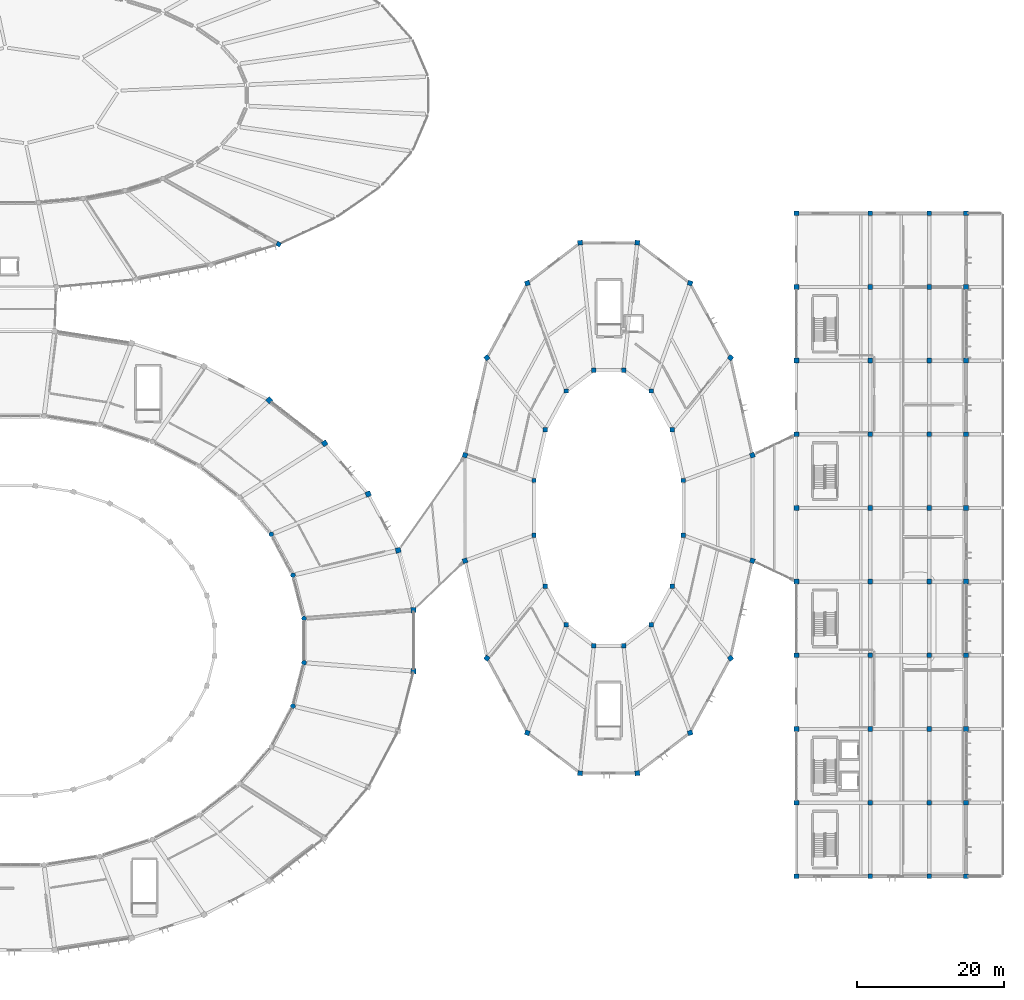
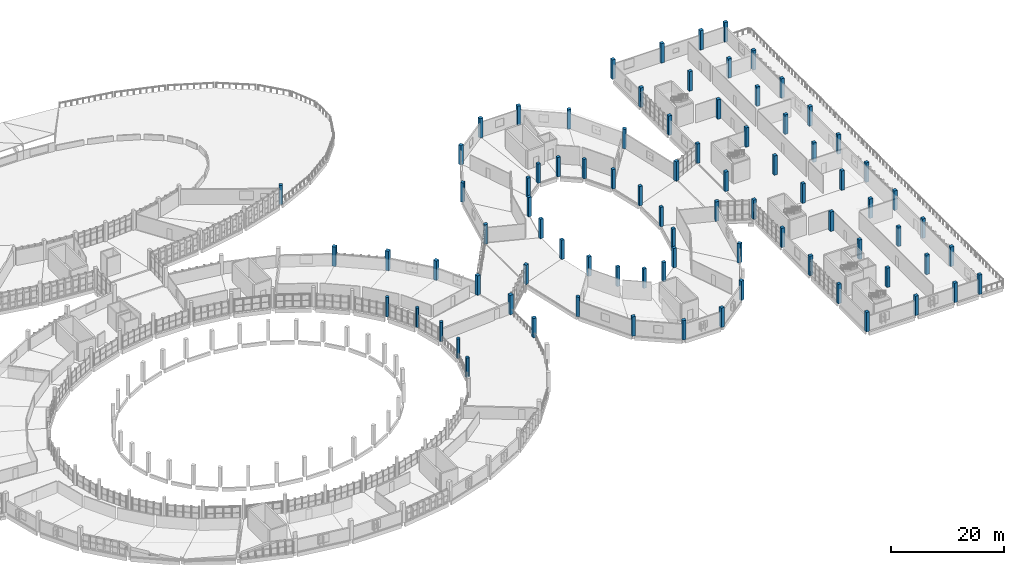
# One storey, part 2 of 142: 84 columns.
"""IFC4 building model written with IfcOpenShell, lengths in metres."""

from ifc_helpers import new_model, si_unit, direction, frame, origin, origin_2d, place, context, subcontext, project, spatial, rectangle, circle, extrude, material, material_profile, profile_set, type_object, element, save


model = new_model("IFC4")

# Units and contexts
model_context = context("Model", 3, precision=1e-05, world=origin(), true_north=direction((0.0, 1.0)))
body_context = subcontext(model_context, "Body", "Model", "MODEL_VIEW")
ifc_project = project(units=[si_unit("LENGTHUNIT", "METRE"), si_unit("AREAUNIT", "SQUARE_METRE"), si_unit("VOLUMEUNIT", "CUBIC_METRE"), si_unit("PLANEANGLEUNIT", "RADIAN"), si_unit("MASSUNIT", "GRAM", prefix="KILO")], contexts=[model_context])

# Site, building, storey
site_placement = place(None, origin())
site = spatial("IfcSite", under=ifc_project, at=site_placement, CompositionType="ELEMENT")
building_placement = place(site_placement, origin())
building = spatial("IfcBuilding", under=site, at=building_placement, Name="Corvandel Quay Wholesale Market", CompositionType="ELEMENT")
storey_placement = place(building_placement, frame((0.0, 0.0, 10.800048828125)))
storey = spatial("IfcBuildingStorey", under=building, at=storey_placement, Name="L02", CompositionType="ELEMENT", Elevation=10.800048828125)

# Columns
ifc_material = material(Name="Precast concrete C45/55", Category="concrete")
ifc_material_profile_1 = material_profile(ifc_material, circle(Radius=0.324951171875, at=origin_2d()), Name="PC-COL-D650")
ifc_profile_set_1 = profile_set([ifc_material_profile_1], Name="Precast concrete C45/55")
column_type_1 = type_object("IfcColumnType", Name="Circular Gallery Column C12 D650", PredefinedType="COLUMN", material=ifc_profile_set_1)
for number, where, z_axis, x_axis, name in (
    (1, (153.14990234375, 44.9990234375, 0.0), (0.0, 0.0, 1.0), (1.0, 0.0, 0.0), "Column COL-0006"),
    (2, (151.64501953125, 50.882080078125, 0.0), (0.0, 0.0, 1.0), (1.0, 0.0, 0.0), "Column COL-0016"),
    (3, (148.694091796875, 56.423095703125, 0.0), (0.0, 0.0, 1.0), (1.0, 0.0, 0.0), "Column COL-0026"),
    (4, (151.64501953125, 33.117919921875, 0.0), (0.0, 0.0, 1.0), (1.0, 0.0, 0.0), "Column COL-0306"),
    (5, (153.14990234375, 39.0009765625, 0.0), (0.0, 0.0, 1.0), (1.0, 0.0, 0.0), "Column COL-0316"),
):
    element("IfcColumn", number, at=place(storey_placement, frame(where, z_axis=z_axis, x_axis=x_axis)), inside=storey, type_object=column_type_1, Name=name, PredefinedType="COLUMN", context=body_context, shape_type="SweptSolid", body=[
        extrude(circle(Radius=0.324951171875, at=origin_2d()), origin(), (0.0, 0.0, 1.0), 4.199951171875),
    ])
ifc_material_profile_2 = material_profile(ifc_material, rectangle(XDim=0.699951171875, YDim=0.699951171875, at=origin_2d()), Name="PC-COL-700x700")
ifc_profile_set_2 = profile_set([ifc_material_profile_2], Name="Precast concrete C45/55")
column_type_2 = type_object("IfcColumnType", Name="Precast Column C04 700x700", PredefinedType="COLUMN", material=ifc_profile_set_2)
for number, where, z_axis, x_axis, name in (
    (6, (168.0, 46.136962890625, 0.0), (0.0, 0.0, 1.0), (-0.076370986393, 0.997079471475, 0.0), "Column COL-0003"),
    (7, (165.925048828125, 54.2509765625, 0.0), (0.0, 0.0, 1.0), (-0.229710019669, 0.973259115993, 0.0), "Column COL-0013"),
    (8, (161.85400390625, 61.89404296875, 0.0), (0.0, 0.0, 1.0), (-0.383811878264, 0.923411307113, 0.0), "Column COL-0023"),
    (9, (155.945068359375, 68.77294921875, 0.0), (0.0, 0.0, 1.0), (-0.538035401546, 0.842922242371, 0.0), "Column COL-0033"),
    (10, (148.423095703125, 74.6240234375, 0.0), (0.0, 0.0, 1.0), (-0.687848001144, 0.725854756355, 0.0), "Column COL-0043"),
    (11, (168.0, 37.863037109375, 0.0), (0.0, 0.0, 1.0), (0.076370986393, 0.997079471475, 0.0), "Column COL-0313"),
):
    element("IfcColumn", number, at=place(storey_placement, frame(where, z_axis=z_axis, x_axis=x_axis)), inside=storey, type_object=column_type_2, Name=name, PredefinedType="COLUMN", context=body_context, shape_type="SweptSolid", body=[
        extrude(rectangle(XDim=0.699951171875, YDim=0.699951171875, at=origin_2d()), origin(), (0.0, 0.0, 1.0), 4.199951171875),
    ])
ifc_material_profile_3 = material_profile(ifc_material, rectangle(XDim=0.64990234375, YDim=0.64990234375, at=origin_2d()), Name="PC-COL-650x650")
ifc_profile_set_3 = profile_set([ifc_material_profile_3], Name="Precast concrete C45/55")
column_type_3 = type_object("IfcColumnType", Name="Precast Column C05 650x650", PredefinedType="COLUMN", material=ifc_profile_set_3)
for number, where, z_axis, x_axis, name in (
    (12, (214.0, 67.160888671875, 0.0), (0.0, 0.0, 1.0), (-0.344642923175, 0.938733857654, 0.0), "Column COL-0481"),
    (13, (211.031005859375, 80.39208984375, 0.0), (0.0, 0.0, 1.0), (-0.776816343556, 0.629727217439, 0.0), "Column COL-0488"),
    (14, (205.5458984375, 90.51904296875, 0.0), (0.0, 0.0, 1.0), (-0.94028812701, 0.340379550213, 0.0), "Column COL-0494"),
    (15, (198.37890625, 96.0, 0.0), (0.0, 0.0, 1.0), (-0.994244832633, 0.107131754314, 0.0), "Column COL-0500"),
    (16, (190.62109375, 96.0, 0.0), (0.0, 0.0, 1.0), (0.994244832633, 0.107131754314, 0.0), "Column COL-0506"),
    (17, (183.4541015625, 90.51904296875, 0.0), (0.0, 0.0, 1.0), (0.94028812701, 0.340379550213, 0.0), "Column COL-0513"),
    (18, (177.968994140625, 80.39208984375, 0.0), (0.0, 0.0, 1.0), (0.776816343556, 0.629727217439, 0.0), "Column COL-0519"),
    (19, (175.0, 67.160888671875, 0.0), (0.0, 0.0, 1.0), (0.344642923175, 0.938733857654, 0.0), "Column COL-0525"),
    (20, (175.0, 52.839111328125, 0.0), (0.0, 0.0, 1.0), (-0.344642923175, 0.938733857654, 0.0), "Column COL-0531"),
    (21, (177.968994140625, 39.60791015625, 0.0), (0.0, 0.0, 1.0), (-0.776816343556, 0.629727217439, 0.0), "Column COL-0538"),
    (22, (183.4541015625, 29.48095703125, 0.0), (0.0, 0.0, 1.0), (-0.94028812701, 0.340379550213, 0.0), "Column COL-0544"),
    (23, (190.62109375, 24.0, 0.0), (0.0, 0.0, 1.0), (-0.994244832633, 0.107131754314, 0.0), "Column COL-0550"),
    (24, (198.37890625, 24.0, 0.0), (0.0, 0.0, 1.0), (0.994244832633, 0.107131754314, 0.0), "Column COL-0556"),
    (25, (205.5458984375, 29.48095703125, 0.0), (0.0, 0.0, 1.0), (0.94028812701, 0.340379550213, 0.0), "Column COL-0563"),
    (26, (211.031005859375, 39.60791015625, 0.0), (0.0, 0.0, 1.0), (0.776816343556, 0.629727217439, 0.0), "Column COL-0569"),
    (27, (214.0, 52.839111328125, 0.0), (0.0, 0.0, 1.0), (0.344642923175, 0.938733857654, 0.0), "Column COL-0575"),
    (28, (220.0, 10.0, 0.0), (0.0, 0.0, 1.0), (1.0, 0.0, 0.0), "Column COL-0773"),
    (29, (220.0, 20.0, 0.0), (0.0, 0.0, 1.0), (1.0, 0.0, 0.0), "Column COL-0777"),
    (30, (220.0, 30.0, 0.0), (0.0, 0.0, 1.0), (1.0, 0.0, 0.0), "Column COL-0781"),
    (31, (220.0, 40.0, 0.0), (0.0, 0.0, 1.0), (1.0, 0.0, 0.0), "Column COL-0785"),
    (32, (220.0, 50.0, 0.0), (0.0, 0.0, 1.0), (1.0, 0.0, 0.0), "Column COL-0789"),
    (33, (220.0, 60.0, 0.0), (0.0, 0.0, 1.0), (1.0, 0.0, 0.0), "Column COL-0793"),
    (34, (220.0, 70.0, 0.0), (0.0, 0.0, 1.0), (1.0, 0.0, 0.0), "Column COL-0797"),
    (35, (220.0, 80.0, 0.0), (0.0, 0.0, 1.0), (1.0, 0.0, 0.0), "Column COL-0801"),
    (36, (220.0, 90.0, 0.0), (0.0, 0.0, 1.0), (1.0, 0.0, 0.0), "Column COL-0805"),
    (37, (220.0, 100.0, 0.0), (0.0, 0.0, 1.0), (1.0, 0.0, 0.0), "Column COL-0809"),
    (38, (230.0, 10.0, 0.0), (0.0, 0.0, 1.0), (1.0, 0.0, 0.0), "Column COL-0813"),
    (39, (230.0, 20.0, 0.0), (0.0, 0.0, 1.0), (1.0, 0.0, 0.0), "Column COL-0817"),
    (40, (230.0, 30.0, 0.0), (0.0, 0.0, 1.0), (1.0, 0.0, 0.0), "Column COL-0821"),
    (41, (230.0, 40.0, 0.0), (0.0, 0.0, 1.0), (1.0, 0.0, 0.0), "Column COL-0825"),
    (42, (230.0, 50.0, 0.0), (0.0, 0.0, 1.0), (1.0, 0.0, 0.0), "Column COL-0829"),
    (43, (230.0, 60.0, 0.0), (0.0, 0.0, 1.0), (1.0, 0.0, 0.0), "Column COL-0833"),
    (44, (230.0, 70.0, 0.0), (0.0, 0.0, 1.0), (1.0, 0.0, 0.0), "Column COL-0837"),
    (45, (230.0, 80.0, 0.0), (0.0, 0.0, 1.0), (1.0, 0.0, 0.0), "Column COL-0841"),
    (46, (230.0, 90.0, 0.0), (0.0, 0.0, 1.0), (1.0, 0.0, 0.0), "Column COL-0845"),
    (47, (230.0, 100.0, 0.0), (0.0, 0.0, 1.0), (1.0, 0.0, 0.0), "Column COL-0849"),
    (48, (238.0, 10.0, 0.0), (0.0, 0.0, 1.0), (1.0, 0.0, 0.0), "Column COL-0853"),
    (49, (238.0, 20.0, 0.0), (0.0, 0.0, 1.0), (1.0, 0.0, 0.0), "Column COL-0857"),
    (50, (238.0, 30.0, 0.0), (0.0, 0.0, 1.0), (1.0, 0.0, 0.0), "Column COL-0861"),
    (51, (238.0, 40.0, 0.0), (0.0, 0.0, 1.0), (1.0, 0.0, 0.0), "Column COL-0865"),
    (52, (238.0, 50.0, 0.0), (0.0, 0.0, 1.0), (1.0, 0.0, 0.0), "Column COL-0869"),
    (53, (238.0, 60.0, 0.0), (0.0, 0.0, 1.0), (1.0, 0.0, 0.0), "Column COL-0873"),
    (54, (238.0, 70.0, 0.0), (0.0, 0.0, 1.0), (1.0, 0.0, 0.0), "Column COL-0877"),
    (55, (238.0, 80.0, 0.0), (0.0, 0.0, 1.0), (1.0, 0.0, 0.0), "Column COL-0881"),
    (56, (238.0, 90.0, 0.0), (0.0, 0.0, 1.0), (1.0, 0.0, 0.0), "Column COL-0885"),
    (57, (238.0, 100.0, 0.0), (0.0, 0.0, 1.0), (1.0, 0.0, 0.0), "Column COL-0889"),
    (58, (243.0, 10.0, 0.0), (0.0, 0.0, 1.0), (1.0, 0.0, 0.0), "Column COL-0893"),
    (59, (243.0, 20.0, 0.0), (0.0, 0.0, 1.0), (1.0, 0.0, 0.0), "Column COL-0896"),
    (60, (243.0, 30.0, 0.0), (0.0, 0.0, 1.0), (1.0, 0.0, 0.0), "Column COL-0899"),
    (61, (243.0, 40.0, 0.0), (0.0, 0.0, 1.0), (1.0, 0.0, 0.0), "Column COL-0902"),
    (62, (243.0, 50.0, 0.0), (0.0, 0.0, 1.0), (1.0, 0.0, 0.0), "Column COL-0905"),
    (63, (243.0, 60.0, 0.0), (0.0, 0.0, 1.0), (1.0, 0.0, 0.0), "Column COL-0908"),
    (64, (243.0, 70.0, 0.0), (0.0, 0.0, 1.0), (1.0, 0.0, 0.0), "Column COL-0911"),
    (65, (243.0, 80.0, 0.0), (0.0, 0.0, 1.0), (1.0, 0.0, 0.0), "Column COL-0914"),
    (66, (243.0, 90.0, 0.0), (0.0, 0.0, 1.0), (1.0, 0.0, 0.0), "Column COL-0917"),
    (67, (243.0, 100.0, 0.0), (0.0, 0.0, 1.0), (1.0, 0.0, 0.0), "Column COL-0920"),
):
    element("IfcColumn", number, at=place(storey_placement, frame(where, z_axis=z_axis, x_axis=x_axis)), inside=storey, type_object=column_type_3, Name=name, PredefinedType="COLUMN", context=body_context, shape_type="SweptSolid", body=[
        extrude(rectangle(XDim=0.64990234375, YDim=0.64990234375, at=origin_2d()), origin(), (0.0, 0.0, 1.0), 4.199951171875),
    ])
ifc_material_profile_4 = material_profile(ifc_material, rectangle(XDim=0.60009765625, YDim=0.60009765625, at=origin_2d()), Name="PC-COL-600x600")
ifc_profile_set_4 = profile_set([ifc_material_profile_4], Name="Precast concrete C45/55")
column_type_4 = type_object("IfcColumnType", Name="Precast Column C06 600x600", PredefinedType="COLUMN", material=ifc_profile_set_4)
for number, where, z_axis, x_axis, name in (
    (68, (149.697998046875, 95.803955078125, 0.0), (0.0, 0.0, 1.0), (0.492423560103, 0.87035569594, 0.0), "Column COL-0457"),
    (69, (204.639892578125, 63.72412109375, 0.0), (0.0, 0.0, 1.0), (1.0, 0.0, 0.0), "Column COL-0484"),
    (70, (203.095947265625, 70.60400390625, 0.0), (0.0, 0.0, 1.0), (1.0, 0.0, 0.0), "Column COL-0491"),
    (71, (200.243896484375, 75.8701171875, 0.0), (0.0, 0.0, 1.0), (1.0, 0.0, 0.0), "Column COL-0497"),
    (72, (196.51708984375, 78.719970703125, 0.0), (0.0, 0.0, 1.0), (1.0, 0.0, 0.0), "Column COL-0503"),
    (73, (192.48291015625, 78.719970703125, 0.0), (0.0, 0.0, 1.0), (1.0, 0.0, 0.0), "Column COL-0509"),
    (74, (188.756103515625, 75.8701171875, 0.0), (0.0, 0.0, 1.0), (1.0, 0.0, 0.0), "Column COL-0516"),
    (75, (185.904052734375, 70.60400390625, 0.0), (0.0, 0.0, 1.0), (1.0, 0.0, 0.0), "Column COL-0522"),
    (76, (184.360107421875, 63.72412109375, 0.0), (0.0, 0.0, 1.0), (1.0, 0.0, 0.0), "Column COL-0528"),
    (77, (184.360107421875, 56.27587890625, 0.0), (0.0, 0.0, 1.0), (1.0, 0.0, 0.0), "Column COL-0534"),
    (78, (185.904052734375, 49.39599609375, 0.0), (0.0, 0.0, 1.0), (1.0, 0.0, 0.0), "Column COL-0541"),
    (79, (188.756103515625, 44.1298828125, 0.0), (0.0, 0.0, 1.0), (1.0, 0.0, 0.0), "Column COL-0547"),
    (80, (192.48291015625, 41.280029296875, 0.0), (0.0, 0.0, 1.0), (1.0, 0.0, 0.0), "Column COL-0553"),
    (81, (196.51708984375, 41.280029296875, 0.0), (0.0, 0.0, 1.0), (1.0, 0.0, 0.0), "Column COL-0559"),
    (82, (200.243896484375, 44.1298828125, 0.0), (0.0, 0.0, 1.0), (1.0, 0.0, 0.0), "Column COL-0566"),
    (83, (203.095947265625, 49.39599609375, 0.0), (0.0, 0.0, 1.0), (1.0, 0.0, 0.0), "Column COL-0572"),
    (84, (204.639892578125, 56.27587890625, 0.0), (0.0, 0.0, 1.0), (1.0, 0.0, 0.0), "Column COL-0578"),
):
    element("IfcColumn", number, at=place(storey_placement, frame(where, z_axis=z_axis, x_axis=x_axis)), inside=storey, type_object=column_type_4, Name=name, PredefinedType="COLUMN", context=body_context, shape_type="SweptSolid", body=[
        extrude(rectangle(XDim=0.60009765625, YDim=0.60009765625, at=origin_2d()), origin(), (0.0, 0.0, 1.0), 4.199951171875),
    ])

save(model, "model.ifc")
